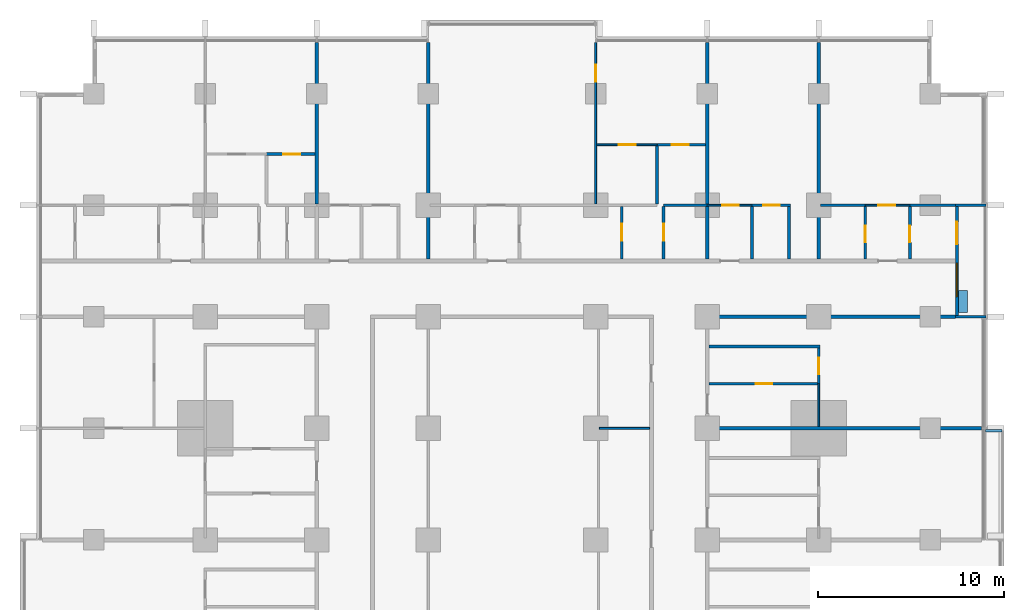
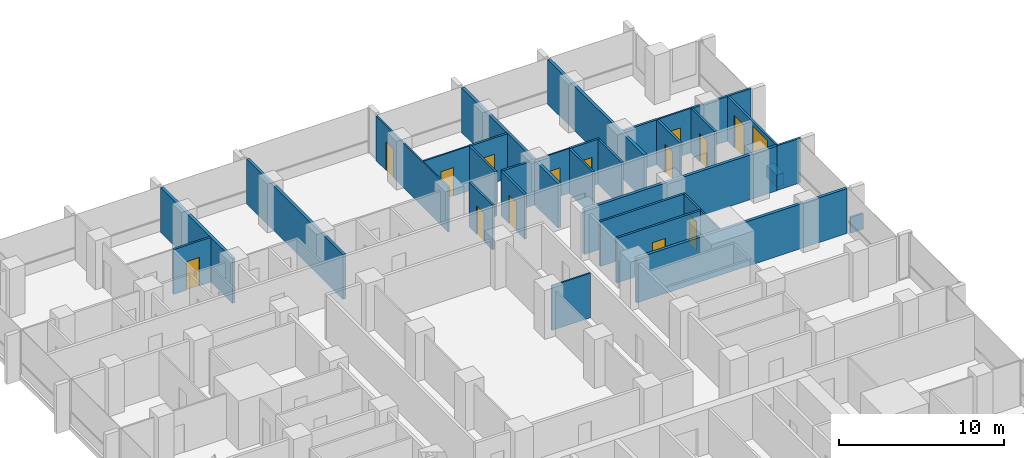
# One storey, part 12 of 18: 34 walls, 14 doors, 1 window, 15 openings.
"""IFC4 building model written with IfcOpenShell, lengths in metres."""

from ifc_helpers import new_model, si_unit, direction, frame, frame_2d, origin, place, context, subcontext, project, spatial, rectangle, extrude, material, layer, layer_set, type_object, element, fill, save


model = new_model("IFC4")

# Units and contexts
model_context = context("Model", 3, precision=1e-05, world=origin(), true_north=direction((0.0, 1.0)))
body_context = subcontext(model_context, "Body", "Model", "MODEL_VIEW")
ifc_project = project(units=[si_unit("LENGTHUNIT", "METRE"), si_unit("AREAUNIT", "SQUARE_METRE"), si_unit("VOLUMEUNIT", "CUBIC_METRE"), si_unit("PLANEANGLEUNIT", "RADIAN"), si_unit("MASSUNIT", "GRAM", prefix="KILO")], contexts=[model_context])

# Site, building, storey
site_placement = place(None, origin())
site = spatial("IfcSite", under=ifc_project, at=site_placement, CompositionType="ELEMENT")
building_placement = place(site_placement, origin())
building = spatial("IfcBuilding", under=site, at=building_placement, Name="Finial Court Residences", CompositionType="ELEMENT")
storey_placement = place(building_placement, frame((0.0, 0.0, 54.10009765625)))
storey = spatial("IfcBuildingStorey", under=building, at=storey_placement, Name="L12", CompositionType="ELEMENT", Elevation=54.10009765625)

# Walls
ifc_material_1 = material(Name="Gypsum board")
ifc_layer_1 = layer(ifc_material_1, 0.02490234375)
ifc_material_2 = material(Name="Acoustic mineral wool in double frame")
ifc_layer_2 = layer(ifc_material_2, 0.14990234375)
ifc_layer_3 = layer(ifc_material_1, 0.02490234375)
ifc_layer_set_1 = layer_set([ifc_layer_1, ifc_layer_2, ifc_layer_3], Name="Acoustic party wall 200, 1 hour")
wall_type_1 = type_object("IfcWallType", Name="Acoustic party wall 200, 1 hour", PredefinedType="PARTITIONING", material=ifc_layer_set_1)
wall_1_placement = place(storey_placement, frame((10.60009765625, 7.5, 0.0), z_axis=(0.0, 0.0, 1.0), x_axis=(1.0, 0.0, 0.0)))
element("IfcWall", 1, at=wall_1_placement, inside=storey, type_object=wall_type_1, Name="Partition L12-027", PredefinedType="PARTITIONING", context=body_context, shape_type="SweptSolid", body=[
    extrude(rectangle(XDim=14.64990234375, YDim=0.199951171875, at=frame_2d((7.324951171875, 0.0))), origin(), (0.0, 0.0, 1.0), 3.2998046875),
])
wall_2_placement = place(storey_placement, frame((-10.5, 19.574951171875, 0.0), z_axis=(0.0, 0.0, 1.0), x_axis=(0.0, 1.0, 0.0)))
element("IfcWall", 2, at=wall_2_placement, inside=storey, type_object=wall_type_1, Name="Partition L12-075", PredefinedType="PARTITIONING", context=body_context, shape_type="SweptSolid", body=[
    extrude(rectangle(XDim=8.675048828125, YDim=0.199951171875, at=frame_2d((4.33740234375, 0.0))), origin(), (0.0, 0.0, 1.0), 3.2998046875),
])
wall_3_placement = place(storey_placement, frame((-4.5, 16.60009765625, 0.0), z_axis=(0.0, 0.0, 1.0), x_axis=(0.0, 1.0, 0.0)))
element("IfcWall", 3, at=wall_3_placement, inside=storey, type_object=wall_type_1, Name="Partition L12-080", PredefinedType="PARTITIONING", context=body_context, shape_type="SweptSolid", body=[
    extrude(rectangle(XDim=11.64990234375, YDim=0.199951171875, at=frame_2d((5.824951171875, 0.0))), origin(), (0.0, 0.0, 1.0), 3.2998046875),
])
wall_4_placement = place(storey_placement, frame((10.5, 16.60009765625, 0.0), z_axis=(0.0, 0.0, 1.0), x_axis=(0.0, 1.0, 0.0)))
element("IfcWall", 4, at=wall_4_placement, inside=storey, type_object=wall_type_1, Name="Partition L12-090", PredefinedType="PARTITIONING", context=body_context, shape_type="SweptSolid", body=[
    extrude(rectangle(XDim=2.824951171875, YDim=0.199951171875, at=frame_2d((1.41259765625, 0.0))), origin(), (0.0, 0.0, 1.0), 3.2998046875),
])
wall_5_placement = place(storey_placement, frame((10.5, 19.574951171875, 0.0), z_axis=(0.0, 0.0, 1.0), x_axis=(0.0, 1.0, 0.0)))
element("IfcWall", 5, at=wall_5_placement, inside=storey, type_object=wall_type_1, Name="Partition L12-091", PredefinedType="PARTITIONING", context=body_context, shape_type="SweptSolid", body=[
    extrude(rectangle(XDim=8.675048828125, YDim=0.199951171875, at=frame_2d((4.33740234375, 0.0))), origin(), (0.0, 0.0, 1.0), 3.2998046875),
])
wall_6_placement = place(storey_placement, frame((16.5, 16.60009765625, 0.0), z_axis=(0.0, 0.0, 1.0), x_axis=(0.0, 1.0, 0.0)))
element("IfcWall", 6, at=wall_6_placement, inside=storey, type_object=wall_type_1, Name="Partition L12-099", PredefinedType="PARTITIONING", context=body_context, shape_type="SweptSolid", body=[
    extrude(rectangle(XDim=11.64990234375, YDim=0.199951171875, at=frame_2d((5.824951171875, 0.0))), origin(), (0.0, 0.0, 1.0), 3.2998046875),
])
ifc_layer_4 = layer(ifc_material_1, 0.02490234375)
ifc_layer_5 = layer(ifc_material_2, 0.14990234375)
ifc_layer_6 = layer(ifc_material_1, 0.02490234375)
ifc_layer_set_2 = layer_set([ifc_layer_4, ifc_layer_5, ifc_layer_6], Name="Corridor wall 200, 1 hour")
wall_type_2 = type_object("IfcWallType", Name="Corridor wall 200, 1 hour", PredefinedType="PARTITIONING", material=ifc_layer_set_2)
wall_7_placement = place(storey_placement, frame((10.39990234375, 13.5, 0.0), z_axis=(0.0, 0.0, 1.0), x_axis=(1.0, 0.0, 0.0)))
element("IfcWall", 7, at=wall_7_placement, inside=storey, type_object=wall_type_2, Name="Partition L12-033", PredefinedType="PARTITIONING", context=body_context, shape_type="SweptSolid", body=[
    extrude(rectangle(XDim=13.4501953125, YDim=0.199951171875, at=frame_2d((6.72509765625, 0.0))), origin(), (0.0, 0.0, 1.0), 3.2998046875),
])
ifc_layer_7 = layer(ifc_material_1, 0.012451171875)
ifc_material_3 = material(Name="Mineral wool in light-gauge frame")
ifc_layer_8 = layer(ifc_material_3, 0.074951171875)
ifc_layer_9 = layer(ifc_material_1, 0.012451171875)
ifc_layer_set_3 = layer_set([ifc_layer_7, ifc_layer_8, ifc_layer_9], Name="Gypsum board partition 100")
wall_type_3 = type_object("IfcWallType", Name="Gypsum board partition 100", PredefinedType="PARTITIONING", material=ifc_layer_set_3)
wall_8_placement = place(storey_placement, frame((4.699951171875, 7.5, 0.0), z_axis=(0.0, 0.0, 1.0), x_axis=(1.0, 0.0, 0.0)))
element("IfcWall", 8, at=wall_8_placement, inside=storey, type_object=wall_type_3, Name="Partition L12-026", PredefinedType="PARTITIONING", context=body_context, shape_type="SweptSolid", body=[
    extrude(rectangle(XDim=2.699951171875, YDim=0.10009765625, at=frame_2d((1.35009765625, 0.0))), origin(), (0.0, 0.0, 1.0), 3.2998046875),
])

# Wall, opening, door
wall_9_placement = place(storey_placement, frame((10.5, 19.5, 0.0), z_axis=(0.0, 0.0, 1.0), x_axis=(1.0, 0.0, 0.0)))
wall_9 = element("IfcWall", 9, at=wall_9_placement, inside=storey, type_object=wall_type_3, Name="Partition L12-039", PredefinedType="PARTITIONING", context=body_context, shape_type="SweptSolid", body=[
    extrude(rectangle(XDim=2.39990234375, YDim=0.10009765625, at=frame_2d((1.199951171875, 0.0))), origin(), (0.0, 0.0, 1.0), 3.2998046875),
])
opening_1_placement = place(wall_9_placement, frame((0.800048828125, 0.0, 0.0)))
opening_1 = element("IfcOpeningElement", 10, at=opening_1_placement, cuts=wall_9, Name="Opening L12-D023", PredefinedType="OPENING", context=body_context, shape_type="SweptSolid", body=[
    extrude(rectangle(XDim=0.89990234375, YDim=2.10009765625, at=frame_2d((0.449951171875, 1.050048828125))), frame((0.0, 0.06005859375, 0.0), z_axis=(0.0, -1.0, 0.0), x_axis=(1.0, 0.0, 0.0)), (0.0, 0.0, 1.0), 0.1201171875),
])
ifc_material_4 = material(Name="Timber door leaf in timber frame", Category="wood")
door_type_1 = type_object("IfcDoorType", Name="Door set 900 x 2100", OperationType="SINGLE_SWING_LEFT", PredefinedType="DOOR", material=ifc_material_4)
door_1_placement = place(opening_1_placement, origin())
door_1 = element("IfcDoor", 11, at=door_1_placement, inside=storey, type_object=door_type_1, Name="Door L12-D023", OperationType="SINGLE_SWING_RIGHT", OverallHeight=2.10009765625, OverallWidth=0.89990234375, PredefinedType="DOOR", context=body_context, shape_type="SweptSolid", body=[
    extrude(rectangle(XDim=0.89990234375, YDim=2.10009765625, at=frame_2d((0.449951171875, 1.050048828125))), frame((0.0, 0.02490234375, 0.0), z_axis=(0.0, -1.0, 0.0), x_axis=(1.0, 0.0, 0.0)), (0.0, 0.0, 1.0), 0.050048828125),
])
fill(opening_1, door_1)

wall_10_placement = place(storey_placement, frame((19.0, 19.5, 0.0), z_axis=(0.0, 0.0, 1.0), x_axis=(1.0, 0.0, 0.0)))
wall_10 = element("IfcWall", 12, at=wall_10_placement, inside=storey, type_object=wall_type_3, Name="Partition L12-040", PredefinedType="PARTITIONING", context=body_context, shape_type="SweptSolid", body=[
    extrude(rectangle(XDim=2.39990234375, YDim=0.10009765625, at=frame_2d((1.199951171875, 0.0))), origin(), (0.0, 0.0, 1.0), 3.2998046875),
])
opening_2_placement = place(wall_10_placement, frame((0.699951171875, 0.0, 0.0)))
opening_2 = element("IfcOpeningElement", 13, at=opening_2_placement, cuts=wall_10, Name="Opening L12-D024", PredefinedType="OPENING", context=body_context, shape_type="SweptSolid", body=[
    extrude(rectangle(XDim=0.89990234375, YDim=2.10009765625, at=frame_2d((0.449951171875, 1.050048828125))), frame((0.0, 0.06005859375, 0.0), z_axis=(0.0, -1.0, 0.0), x_axis=(1.0, 0.0, 0.0)), (0.0, 0.0, 1.0), 0.1201171875),
])
door_2_placement = place(opening_2_placement, origin())
door_2 = element("IfcDoor", 14, at=door_2_placement, inside=storey, type_object=door_type_1, Name="Door L12-D024", OperationType="SINGLE_SWING_RIGHT", OverallHeight=2.10009765625, OverallWidth=0.89990234375, PredefinedType="DOOR", context=body_context, shape_type="SweptSolid", body=[
    extrude(rectangle(XDim=0.89990234375, YDim=2.10009765625, at=frame_2d((0.449951171875, 1.050048828125))), frame((0.0, 0.02490234375, 0.0), z_axis=(0.0, -1.0, 0.0), x_axis=(1.0, 0.0, 0.0)), (0.0, 0.0, 1.0), 0.050048828125),
])
fill(opening_2, door_2)

wall_11_placement = place(storey_placement, frame((4.550048828125, 22.75, 0.0), z_axis=(0.0, 0.0, 1.0), x_axis=(1.0, 0.0, 0.0)))
wall_11 = element("IfcWall", 15, at=wall_11_placement, inside=storey, type_object=wall_type_3, Name="Partition L12-053", PredefinedType="PARTITIONING", context=body_context, shape_type="SweptSolid", body=[
    extrude(rectangle(XDim=3.25, YDim=0.10009765625, at=frame_2d((1.625, 0.0))), origin(), (0.0, 0.0, 1.0), 3.2998046875),
])
opening_3_placement = place(wall_11_placement, frame((1.199951171875, 0.0, 0.0)))
opening_3 = element("IfcOpeningElement", 16, at=opening_3_placement, cuts=wall_11, Name="Opening L12-D029", PredefinedType="OPENING", context=body_context, shape_type="SweptSolid", body=[
    extrude(rectangle(XDim=0.89990234375, YDim=2.10009765625, at=frame_2d((0.449951171875, 1.050048828125))), frame((0.0, 0.06005859375, 0.0), z_axis=(0.0, -1.0, 0.0), x_axis=(1.0, 0.0, 0.0)), (0.0, 0.0, 1.0), 0.1201171875),
])
door_3_placement = place(opening_3_placement, origin())
door_3 = element("IfcDoor", 17, at=door_3_placement, inside=storey, type_object=door_type_1, Name="Door L12-D029", OperationType="SINGLE_SWING_LEFT", OverallHeight=2.10009765625, OverallWidth=0.89990234375, PredefinedType="DOOR", context=body_context, shape_type="SweptSolid", body=[
    extrude(rectangle(XDim=0.89990234375, YDim=2.10009765625, at=frame_2d((0.449951171875, 1.050048828125))), frame((0.0, 0.02490234375, 0.0), z_axis=(0.0, -1.0, 0.0), x_axis=(1.0, 0.0, 0.0)), (0.0, 0.0, 1.0), 0.050048828125),
])
fill(opening_3, door_3)

wall_12_placement = place(storey_placement, frame((4.5, 19.574951171875, 0.0), z_axis=(0.0, 0.0, 1.0), x_axis=(0.0, 1.0, 0.0)))
wall_12 = element("IfcWall", 18, at=wall_12_placement, inside=storey, type_object=wall_type_3, Name="Partition L12-083", PredefinedType="PARTITIONING", context=body_context, shape_type="SweptSolid", body=[
    extrude(rectangle(XDim=8.675048828125, YDim=0.10009765625, at=frame_2d((4.33740234375, 0.0))), origin(), (0.0, 0.0, 1.0), 3.2998046875),
])
opening_4_placement = place(wall_12_placement, frame((6.574951171875, 0.0, 0.0)))
opening_4 = element("IfcOpeningElement", 19, at=opening_4_placement, cuts=wall_12, Name="Opening L12-D047", PredefinedType="OPENING", context=body_context, shape_type="SweptSolid", body=[
    extrude(rectangle(XDim=0.89990234375, YDim=2.10009765625, at=frame_2d((0.449951171875, 1.050048828125))), frame((0.0, 0.06005859375, 0.0), z_axis=(0.0, -1.0, 0.0), x_axis=(1.0, 0.0, 0.0)), (0.0, 0.0, 1.0), 0.1201171875),
])
door_4_placement = place(opening_4_placement, origin())
door_4 = element("IfcDoor", 20, at=door_4_placement, inside=storey, type_object=door_type_1, Name="Door L12-D047", OperationType="SINGLE_SWING_RIGHT", OverallHeight=2.10009765625, OverallWidth=0.89990234375, PredefinedType="DOOR", context=body_context, shape_type="SweptSolid", body=[
    extrude(rectangle(XDim=0.89990234375, YDim=2.10009765625, at=frame_2d((0.449951171875, 1.050048828125))), frame((0.0, 0.02490234375, 0.0), z_axis=(0.0, -1.0, 0.0), x_axis=(1.0, 0.0, 0.0)), (0.0, 0.0, 1.0), 0.050048828125),
])
fill(opening_4, door_4)

# Wall
wall_13_placement = place(storey_placement, frame((16.5, 7.60009765625, 0.0), z_axis=(0.0, 0.0, 1.0), x_axis=(0.0, 1.0, 0.0)))
element("IfcWall", 21, at=wall_13_placement, inside=storey, type_object=wall_type_3, Name="Partition L12-098", PredefinedType="PARTITIONING", context=body_context, shape_type="SweptSolid", body=[
    extrude(rectangle(XDim=2.2998046875, YDim=0.10009765625, at=frame_2d((1.14990234375, 0.0))), origin(), (0.0, 0.0, 1.0), 3.2998046875),
])

# Wall, opening, door
ifc_material_5 = material(Name="Moisture-resistant gypsum board")
ifc_layer_10 = layer(ifc_material_5, 0.012451171875)
ifc_layer_11 = layer(ifc_material_3, 0.125)
ifc_layer_12 = layer(ifc_material_5, 0.012451171875)
ifc_layer_set_4 = layer_set([ifc_layer_10, ifc_layer_11, ifc_layer_12], Name="Gypsum board wet-area partition 150")
wall_type_4 = type_object("IfcWallType", Name="Gypsum board wet-area partition 150", PredefinedType="PARTITIONING", material=ifc_layer_set_4)
wall_14_placement = place(storey_placement, frame((10.60009765625, 9.89990234375, 0.0), z_axis=(0.0, 0.0, 1.0), x_axis=(1.0, 0.0, 0.0)))
wall_14 = element("IfcWall", 22, at=wall_14_placement, inside=storey, type_object=wall_type_4, Name="Partition L12-028", PredefinedType="PARTITIONING", context=body_context, shape_type="SweptSolid", body=[
    extrude(rectangle(XDim=5.824951171875, YDim=0.14990234375, at=frame_2d((2.91259765625, 0.0))), origin(), (0.0, 0.0, 1.0), 3.2998046875),
])
opening_5_placement = place(wall_14_placement, frame((2.5, 0.0, 0.0)))
opening_5 = element("IfcOpeningElement", 23, at=opening_5_placement, cuts=wall_14, Name="Opening L12-D014", PredefinedType="OPENING", context=body_context, shape_type="SweptSolid", body=[
    extrude(rectangle(XDim=0.89990234375, YDim=2.10009765625, at=frame_2d((0.449951171875, 1.050048828125))), frame((0.0, 0.0849609375, 0.0), z_axis=(0.0, -1.0, 0.0), x_axis=(1.0, 0.0, 0.0)), (0.0, 0.0, 1.0), 0.169921875),
])
door_5_placement = place(opening_5_placement, origin())
door_5 = element("IfcDoor", 24, at=door_5_placement, inside=storey, type_object=door_type_1, Name="Door L12-D014", OperationType="SINGLE_SWING_LEFT", OverallHeight=2.10009765625, OverallWidth=0.89990234375, PredefinedType="DOOR", context=body_context, shape_type="SweptSolid", body=[
    extrude(rectangle(XDim=0.89990234375, YDim=2.10009765625, at=frame_2d((0.449951171875, 1.050048828125))), frame((0.0, 0.02490234375, 0.0), z_axis=(0.0, -1.0, 0.0), x_axis=(1.0, 0.0, 0.0)), (0.0, 0.0, 1.0), 0.050048828125),
])
fill(opening_5, door_5)

# Walls
wall_15_placement = place(storey_placement, frame((10.60009765625, 11.89990234375, 0.0), z_axis=(0.0, 0.0, 1.0), x_axis=(1.0, 0.0, 0.0)))
element("IfcWall", 25, at=wall_15_placement, inside=storey, type_object=wall_type_4, Name="Partition L12-029", PredefinedType="PARTITIONING", context=body_context, shape_type="SweptSolid", body=[
    extrude(rectangle(XDim=5.974853515625, YDim=0.14990234375, at=frame_2d((2.9873046875, 0.0))), origin(), (0.0, 0.0, 1.0), 3.2998046875),
])
wall_16_placement = place(storey_placement, frame((8.14990234375, 19.5, 0.0), z_axis=(0.0, 0.0, 1.0), x_axis=(1.0, 0.0, 0.0)))
element("IfcWall", 26, at=wall_16_placement, inside=storey, type_object=wall_type_4, Name="Partition L12-047", PredefinedType="PARTITIONING", context=body_context, shape_type="SweptSolid", body=[
    extrude(rectangle(XDim=2.35009765625, YDim=0.14990234375, at=frame_2d((1.175048828125, 0.0))), origin(), (0.0, 0.0, 1.0), 3.2998046875),
])

# Wall, opening, door
wall_17_placement = place(storey_placement, frame((12.89990234375, 19.5, 0.0), z_axis=(0.0, 0.0, 1.0), x_axis=(1.0, 0.0, 0.0)))
wall_17 = element("IfcWall", 27, at=wall_17_placement, inside=storey, type_object=wall_type_4, Name="Partition L12-048", PredefinedType="PARTITIONING", context=body_context, shape_type="SweptSolid", body=[
    extrude(rectangle(XDim=2.0751953125, YDim=0.14990234375, at=frame_2d((1.03759765625, 0.0))), origin(), (0.0, 0.0, 1.0), 3.2998046875),
])
opening_6_placement = place(wall_17_placement, frame((0.60009765625, 0.0, 0.0)))
opening_6 = element("IfcOpeningElement", 28, at=opening_6_placement, cuts=wall_17, Name="Opening L12-D026", PredefinedType="OPENING", context=body_context, shape_type="SweptSolid", body=[
    extrude(rectangle(XDim=0.89990234375, YDim=2.10009765625, at=frame_2d((0.449951171875, 1.050048828125))), frame((0.0, 0.0849609375, 0.0), z_axis=(0.0, -1.0, 0.0), x_axis=(1.0, 0.0, 0.0)), (0.0, 0.0, 1.0), 0.169921875),
])
door_6_placement = place(opening_6_placement, origin())
door_6 = element("IfcDoor", 29, at=door_6_placement, inside=storey, type_object=door_type_1, Name="Door L12-D026", OperationType="SINGLE_SWING_RIGHT", OverallHeight=2.10009765625, OverallWidth=0.89990234375, PredefinedType="DOOR", context=body_context, shape_type="SweptSolid", body=[
    extrude(rectangle(XDim=0.89990234375, YDim=2.10009765625, at=frame_2d((0.449951171875, 1.050048828125))), frame((0.0, 0.02490234375, 0.0), z_axis=(0.0, -1.0, 0.0), x_axis=(1.0, 0.0, 0.0)), (0.0, 0.0, 1.0), 0.050048828125),
])
fill(opening_6, door_6)

# Walls
wall_18_placement = place(storey_placement, frame((16.60009765625, 19.5, 0.0), z_axis=(0.0, 0.0, 1.0), x_axis=(1.0, 0.0, 0.0)))
element("IfcWall", 30, at=wall_18_placement, inside=storey, type_object=wall_type_4, Name="Partition L12-049", PredefinedType="PARTITIONING", context=body_context, shape_type="SweptSolid", body=[
    extrude(rectangle(XDim=2.39990234375, YDim=0.14990234375, at=frame_2d((1.199951171875, 0.0))), origin(), (0.0, 0.0, 1.0), 3.2998046875),
])
wall_19_placement = place(storey_placement, frame((21.39990234375, 19.5, 0.0), z_axis=(0.0, 0.0, 1.0), x_axis=(1.0, 0.0, 0.0)))
element("IfcWall", 31, at=wall_19_placement, inside=storey, type_object=wall_type_4, Name="Partition L12-050", PredefinedType="PARTITIONING", context=body_context, shape_type="SweptSolid", body=[
    extrude(rectangle(XDim=2.4501953125, YDim=0.14990234375, at=frame_2d((1.22509765625, 0.0))), origin(), (0.0, 0.0, 1.0), 3.2998046875),
])

# Wall, opening, door
wall_20_placement = place(storey_placement, frame((-13.199951171875, 22.25, 0.0), z_axis=(0.0, 0.0, 1.0), x_axis=(1.0, 0.0, 0.0)))
wall_20 = element("IfcWall", 32, at=wall_20_placement, inside=storey, type_object=wall_type_4, Name="Partition L12-052", PredefinedType="PARTITIONING", context=body_context, shape_type="SweptSolid", body=[
    extrude(rectangle(XDim=2.599853515625, YDim=0.14990234375, at=frame_2d((1.2998046875, 0.0))), origin(), (0.0, 0.0, 1.0), 3.2998046875),
])
opening_7_placement = place(wall_20_placement, frame((0.89990234375, 0.0, 0.0)))
opening_7 = element("IfcOpeningElement", 33, at=opening_7_placement, cuts=wall_20, Name="Opening L12-D028", PredefinedType="OPENING", context=body_context, shape_type="SweptSolid", body=[
    extrude(rectangle(XDim=0.89990234375, YDim=2.10009765625, at=frame_2d((0.449951171875, 1.050048828125))), frame((0.0, 0.0849609375, 0.0), z_axis=(0.0, -1.0, 0.0), x_axis=(1.0, 0.0, 0.0)), (0.0, 0.0, 1.0), 0.169921875),
])
door_7_placement = place(opening_7_placement, origin())
door_7 = element("IfcDoor", 34, at=door_7_placement, inside=storey, type_object=door_type_1, Name="Door L12-D028", OperationType="SINGLE_SWING_RIGHT", OverallHeight=2.10009765625, OverallWidth=0.89990234375, PredefinedType="DOOR", context=body_context, shape_type="SweptSolid", body=[
    extrude(rectangle(XDim=0.89990234375, YDim=2.10009765625, at=frame_2d((0.449951171875, 1.050048828125))), frame((0.0, 0.02490234375, 0.0), z_axis=(0.0, -1.0, 0.0), x_axis=(1.0, 0.0, 0.0)), (0.0, 0.0, 1.0), 0.050048828125),
])
fill(opening_7, door_7)

wall_21_placement = place(storey_placement, frame((7.800048828125, 22.75, 0.0), z_axis=(0.0, 0.0, 1.0), x_axis=(1.0, 0.0, 0.0)))
wall_21 = element("IfcWall", 35, at=wall_21_placement, inside=storey, type_object=wall_type_4, Name="Partition L12-054", PredefinedType="PARTITIONING", context=body_context, shape_type="SweptSolid", body=[
    extrude(rectangle(XDim=2.599853515625, YDim=0.14990234375, at=frame_2d((1.2998046875, 0.0))), origin(), (0.0, 0.0, 1.0), 3.2998046875),
])
opening_8_placement = place(wall_21_placement, frame((0.800048828125, 0.0, 0.0)))
opening_8 = element("IfcOpeningElement", 36, at=opening_8_placement, cuts=wall_21, Name="Opening L12-D030", PredefinedType="OPENING", context=body_context, shape_type="SweptSolid", body=[
    extrude(rectangle(XDim=0.89990234375, YDim=2.10009765625, at=frame_2d((0.449951171875, 1.050048828125))), frame((0.0, 0.0849609375, 0.0), z_axis=(0.0, -1.0, 0.0), x_axis=(1.0, 0.0, 0.0)), (0.0, 0.0, 1.0), 0.169921875),
])
door_8_placement = place(opening_8_placement, origin())
door_8 = element("IfcDoor", 37, at=door_8_placement, inside=storey, type_object=door_type_1, Name="Door L12-D030", OperationType="SINGLE_SWING_RIGHT", OverallHeight=2.10009765625, OverallWidth=0.89990234375, PredefinedType="DOOR", context=body_context, shape_type="SweptSolid", body=[
    extrude(rectangle(XDim=0.89990234375, YDim=2.10009765625, at=frame_2d((0.449951171875, 1.050048828125))), frame((0.0, 0.02490234375, 0.0), z_axis=(0.0, -1.0, 0.0), x_axis=(1.0, 0.0, 0.0)), (0.0, 0.0, 1.0), 0.050048828125),
])
fill(opening_8, door_8)

wall_22_placement = place(storey_placement, frame((5.89990234375, 16.60009765625, 0.0), z_axis=(0.0, 0.0, 1.0), x_axis=(0.0, 1.0, 0.0)))
wall_22 = element("IfcWall", 38, at=wall_22_placement, inside=storey, type_object=wall_type_4, Name="Partition L12-085", PredefinedType="PARTITIONING", context=body_context, shape_type="SweptSolid", body=[
    extrude(rectangle(XDim=2.824951171875, YDim=0.14990234375, at=frame_2d((1.41259765625, 0.0))), origin(), (0.0, 0.0, 1.0), 3.2998046875),
])
opening_9_placement = place(wall_22_placement, frame((1.0, 0.0, 0.0)))
opening_9 = element("IfcOpeningElement", 39, at=opening_9_placement, cuts=wall_22, Name="Opening L12-D048", PredefinedType="OPENING", context=body_context, shape_type="SweptSolid", body=[
    extrude(rectangle(XDim=0.89990234375, YDim=2.10009765625, at=frame_2d((0.449951171875, 1.050048828125))), frame((0.0, 0.0849609375, 0.0), z_axis=(0.0, -1.0, 0.0), x_axis=(1.0, 0.0, 0.0)), (0.0, 0.0, 1.0), 0.169921875),
])
door_9_placement = place(opening_9_placement, origin())
door_9 = element("IfcDoor", 40, at=door_9_placement, inside=storey, type_object=door_type_1, Name="Door L12-D048", OperationType="SINGLE_SWING_RIGHT", OverallHeight=2.10009765625, OverallWidth=0.89990234375, PredefinedType="DOOR", context=body_context, shape_type="SweptSolid", body=[
    extrude(rectangle(XDim=0.89990234375, YDim=2.10009765625, at=frame_2d((0.449951171875, 1.050048828125))), frame((0.0, 0.02490234375, 0.0), z_axis=(0.0, -1.0, 0.0), x_axis=(1.0, 0.0, 0.0)), (0.0, 0.0, 1.0), 0.050048828125),
])
fill(opening_9, door_9)

# Wall
wall_23_placement = place(storey_placement, frame((7.800048828125, 19.574951171875, 0.0), z_axis=(0.0, 0.0, 1.0), x_axis=(0.0, 1.0, 0.0)))
element("IfcWall", 41, at=wall_23_placement, inside=storey, type_object=wall_type_4, Name="Partition L12-087", PredefinedType="PARTITIONING", context=body_context, shape_type="SweptSolid", body=[
    extrude(rectangle(XDim=3.10009765625, YDim=0.14990234375, at=frame_2d((1.550048828125, 0.0))), origin(), (0.0, 0.0, 1.0), 3.2998046875),
])

# Wall, opening, door
wall_24_placement = place(storey_placement, frame((8.14990234375, 16.60009765625, 0.0), z_axis=(0.0, 0.0, 1.0), x_axis=(0.0, 1.0, 0.0)))
wall_24 = element("IfcWall", 42, at=wall_24_placement, inside=storey, type_object=wall_type_4, Name="Partition L12-088", PredefinedType="PARTITIONING", context=body_context, shape_type="SweptSolid", body=[
    extrude(rectangle(XDim=2.824951171875, YDim=0.14990234375, at=frame_2d((1.41259765625, 0.0))), origin(), (0.0, 0.0, 1.0), 3.2998046875),
])
opening_10_placement = place(wall_24_placement, frame((1.0, 0.0, 0.0)))
opening_10 = element("IfcOpeningElement", 43, at=opening_10_placement, cuts=wall_24, Name="Opening L12-D051", PredefinedType="OPENING", context=body_context, shape_type="SweptSolid", body=[
    extrude(rectangle(XDim=0.89990234375, YDim=2.10009765625, at=frame_2d((0.449951171875, 1.050048828125))), frame((0.0, 0.0849609375, 0.0), z_axis=(0.0, -1.0, 0.0), x_axis=(1.0, 0.0, 0.0)), (0.0, 0.0, 1.0), 0.169921875),
])
door_10_placement = place(opening_10_placement, origin())
door_10 = element("IfcDoor", 44, at=door_10_placement, inside=storey, type_object=door_type_1, Name="Door L12-D051", OperationType="SINGLE_SWING_RIGHT", OverallHeight=2.10009765625, OverallWidth=0.89990234375, PredefinedType="DOOR", context=body_context, shape_type="SweptSolid", body=[
    extrude(rectangle(XDim=0.89990234375, YDim=2.10009765625, at=frame_2d((0.449951171875, 1.050048828125))), frame((0.0, 0.02490234375, 0.0), z_axis=(0.0, -1.0, 0.0), x_axis=(1.0, 0.0, 0.0)), (0.0, 0.0, 1.0), 0.050048828125),
])
fill(opening_10, door_10)

# Walls
for number, where, z_axis, x_axis, name in (
    (45, (12.89990234375, 16.60009765625, 0.0), (0.0, 0.0, 1.0), (0.0, 1.0, 0.0), "Partition L12-092"),
    (46, (14.89990234375, 16.60009765625, 0.0), (0.0, 0.0, 1.0), (0.0, 1.0, 0.0), "Partition L12-093"),
):
    element("IfcWall", number, at=place(storey_placement, frame(where, z_axis=z_axis, x_axis=x_axis)), inside=storey, type_object=wall_type_4, Name=name, PredefinedType="PARTITIONING", context=body_context, shape_type="SweptSolid", body=[
        extrude(rectangle(XDim=2.824951171875, YDim=0.14990234375, at=frame_2d((1.41259765625, 0.0))), origin(), (0.0, 0.0, 1.0), 3.2998046875),
    ])

# Wall, opening, door
wall_25_placement = place(storey_placement, frame((16.5, 9.89990234375, 0.0), z_axis=(0.0, 0.0, 1.0), x_axis=(0.0, 1.0, 0.0)))
wall_25 = element("IfcWall", 47, at=wall_25_placement, inside=storey, type_object=wall_type_4, Name="Partition L12-104", PredefinedType="PARTITIONING", context=body_context, shape_type="SweptSolid", body=[
    extrude(rectangle(XDim=1.925048828125, YDim=0.14990234375, at=frame_2d((0.96240234375, 0.0))), origin(), (0.0, 0.0, 1.0), 3.2998046875),
])
opening_11_placement = place(wall_25_placement, frame((0.5, 0.0, 0.0)))
opening_11 = element("IfcOpeningElement", 48, at=opening_11_placement, cuts=wall_25, Name="Opening L12-D061", PredefinedType="OPENING", context=body_context, shape_type="SweptSolid", body=[
    extrude(rectangle(XDim=0.89990234375, YDim=2.10009765625, at=frame_2d((0.449951171875, 1.050048828125))), frame((0.0, 0.0849609375, 0.0), z_axis=(0.0, -1.0, 0.0), x_axis=(1.0, 0.0, 0.0)), (0.0, 0.0, 1.0), 0.169921875),
])
door_11_placement = place(opening_11_placement, origin())
door_11 = element("IfcDoor", 49, at=door_11_placement, inside=storey, type_object=door_type_1, Name="Door L12-D061", OperationType="SINGLE_SWING_RIGHT", OverallHeight=2.10009765625, OverallWidth=0.89990234375, PredefinedType="DOOR", context=body_context, shape_type="SweptSolid", body=[
    extrude(rectangle(XDim=0.89990234375, YDim=2.10009765625, at=frame_2d((0.449951171875, 1.050048828125))), frame((0.0, 0.02490234375, 0.0), z_axis=(0.0, -1.0, 0.0), x_axis=(1.0, 0.0, 0.0)), (0.0, 0.0, 1.0), 0.050048828125),
])
fill(opening_11, door_11)

wall_26_placement = place(storey_placement, frame((19.0, 16.60009765625, 0.0), z_axis=(0.0, 0.0, 1.0), x_axis=(0.0, 1.0, 0.0)))
wall_26 = element("IfcWall", 50, at=wall_26_placement, inside=storey, type_object=wall_type_4, Name="Partition L12-106", PredefinedType="PARTITIONING", context=body_context, shape_type="SweptSolid", body=[
    extrude(rectangle(XDim=2.824951171875, YDim=0.14990234375, at=frame_2d((1.41259765625, 0.0))), origin(), (0.0, 0.0, 1.0), 3.2998046875),
])
opening_12_placement = place(wall_26_placement, frame((0.89990234375, 0.0, 0.0)))
opening_12 = element("IfcOpeningElement", 51, at=opening_12_placement, cuts=wall_26, Name="Opening L12-D062", PredefinedType="OPENING", context=body_context, shape_type="SweptSolid", body=[
    extrude(rectangle(XDim=0.89990234375, YDim=2.10009765625, at=frame_2d((0.449951171875, 1.050048828125))), frame((0.0, 0.0849609375, 0.0), z_axis=(0.0, -1.0, 0.0), x_axis=(1.0, 0.0, 0.0)), (0.0, 0.0, 1.0), 0.169921875),
])
door_12_placement = place(opening_12_placement, origin())
door_12 = element("IfcDoor", 52, at=door_12_placement, inside=storey, type_object=door_type_1, Name="Door L12-D062", OperationType="SINGLE_SWING_RIGHT", OverallHeight=2.10009765625, OverallWidth=0.89990234375, PredefinedType="DOOR", context=body_context, shape_type="SweptSolid", body=[
    extrude(rectangle(XDim=0.89990234375, YDim=2.10009765625, at=frame_2d((0.449951171875, 1.050048828125))), frame((0.0, 0.02490234375, 0.0), z_axis=(0.0, -1.0, 0.0), x_axis=(1.0, 0.0, 0.0)), (0.0, 0.0, 1.0), 0.050048828125),
])
fill(opening_12, door_12)

wall_27_placement = place(storey_placement, frame((21.39990234375, 16.60009765625, 0.0), z_axis=(0.0, 0.0, 1.0), x_axis=(0.0, 1.0, 0.0)))
wall_27 = element("IfcWall", 53, at=wall_27_placement, inside=storey, type_object=wall_type_4, Name="Partition L12-107", PredefinedType="PARTITIONING", context=body_context, shape_type="SweptSolid", body=[
    extrude(rectangle(XDim=2.824951171875, YDim=0.14990234375, at=frame_2d((1.41259765625, 0.0))), origin(), (0.0, 0.0, 1.0), 3.2998046875),
])
opening_13_placement = place(wall_27_placement, frame((0.89990234375, 0.0, 0.0)))
opening_13 = element("IfcOpeningElement", 54, at=opening_13_placement, cuts=wall_27, Name="Opening L12-D063", PredefinedType="OPENING", context=body_context, shape_type="SweptSolid", body=[
    extrude(rectangle(XDim=0.89990234375, YDim=2.10009765625, at=frame_2d((0.449951171875, 1.050048828125))), frame((0.0, 0.0849609375, 0.0), z_axis=(0.0, -1.0, 0.0), x_axis=(1.0, 0.0, 0.0)), (0.0, 0.0, 1.0), 0.169921875),
])
door_13_placement = place(opening_13_placement, origin())
door_13 = element("IfcDoor", 55, at=door_13_placement, inside=storey, type_object=door_type_1, Name="Door L12-D063", OperationType="SINGLE_SWING_RIGHT", OverallHeight=2.10009765625, OverallWidth=0.89990234375, PredefinedType="DOOR", context=body_context, shape_type="SweptSolid", body=[
    extrude(rectangle(XDim=0.89990234375, YDim=2.10009765625, at=frame_2d((0.449951171875, 1.050048828125))), frame((0.0, 0.02490234375, 0.0), z_axis=(0.0, -1.0, 0.0), x_axis=(1.0, 0.0, 0.0)), (0.0, 0.0, 1.0), 0.050048828125),
])
fill(opening_13, door_13)

# Walls
ifc_material_6 = material(Name="Concrete C35/45", Category="concrete")
ifc_layer_13 = layer(ifc_material_6, 0.14990234375)
ifc_layer_set_5 = layer_set([ifc_layer_13], Name="Ledge parapet, Concrete C35/45 150")
wall_type_5 = type_object("IfcWallType", Name="Ledge parapet, Concrete C35/45 150", PredefinedType="PARAPET", material=ifc_layer_set_5)
wall_28_placement = place(storey_placement, frame((25.4599609375, 7.375, 0.0), z_axis=(0.0, 0.0, 1.0), x_axis=(1.0, 0.0, 0.0)))
element("IfcWall", 56, at=wall_28_placement, inside=storey, type_object=wall_type_5, Name="E-L12-LED1-P1", PredefinedType="PARAPET", context=body_context, shape_type="SweptSolid", body=[
    extrude(rectangle(XDim=0.89013671875, YDim=0.14990234375, at=frame_2d((0.445068359375, 0.0))), origin(), (0.0, 0.0, 1.0), 1.14990234375),
])
ifc_material_7 = material(Name="Natural limestone", Category="masonry")
ifc_layer_14 = layer(ifc_material_7, 0.14990234375)
ifc_layer_set_6 = layer_set([ifc_layer_14], Name="Limestone clad wall 150")
wall_type_6 = type_object("IfcWallType", Name="Limestone clad wall 150", PredefinedType="SOLIDWALL", material=ifc_layer_set_6)
for number, where, z_axis, x_axis, name in (
    (57, (23.85009765625, 13.5, 0.0), (0.0, 0.0, 1.0), (1.0, 0.0, 0.0), "E-L12-BALE6-P1"),
    (58, (23.85009765625, 19.5, 0.0), (0.0, 0.0, 1.0), (1.0, 0.0, 0.0), "E-L12-BALE6-P2"),
):
    element("IfcWall", number, at=place(storey_placement, frame(where, z_axis=z_axis, x_axis=x_axis)), inside=storey, type_object=wall_type_6, Name=name, PredefinedType="SOLIDWALL", context=body_context, shape_type="SweptSolid", body=[
        extrude(rectangle(XDim=1.64990234375, YDim=0.14990234375, at=frame_2d((0.824951171875, 0.0))), origin(), (0.0, 0.0, 1.0), 3.2998046875),
    ])

# Wall, openings, door, window
wall_29_placement = place(storey_placement, frame((23.925048828125, 19.425048828125, 0.0), z_axis=(0.0, 0.0, 1.0), x_axis=(0.0, -1.0, 0.0)))
wall_29 = element("IfcWall", 59, at=wall_29_placement, inside=storey, type_object=wall_type_6, Name="E-L12-L12-BALE6-W", PredefinedType="SOLIDWALL", context=body_context, shape_type="SweptSolid", body=[
    extrude(rectangle(XDim=5.85009765625, YDim=0.14990234375, at=frame_2d((2.925048828125, 0.0))), origin(), (0.0, 0.0, 1.0), 3.2998046875),
])
opening_14_placement = place(wall_29_placement, frame((0.824951171875, 0.0, 0.0)))
opening_14 = element("IfcOpeningElement", 60, at=opening_14_placement, cuts=wall_29, Name="Opening DE12-01", PredefinedType="OPENING", context=body_context, shape_type="SweptSolid", body=[
    extrude(rectangle(XDim=1.199951171875, YDim=2.39990234375, at=frame_2d((0.60009765625, 1.199951171875))), frame((0.0, 0.0849609375, 0.0), z_axis=(0.0, -1.0, 0.0), x_axis=(1.0, 0.0, 0.0)), (0.0, 0.0, 1.0), 0.169921875),
])
opening_15_placement = place(wall_29_placement, frame((3.03759765625, 0.0, 0.89990234375)))
opening_15 = element("IfcOpeningElement", 61, at=opening_15_placement, cuts=wall_29, Name="Opening WE12-09", PredefinedType="OPENING", context=body_context, shape_type="SweptSolid", body=[
    extrude(rectangle(XDim=1.800048828125, YDim=2.10009765625, at=frame_2d((0.89990234375, 1.050048828125))), frame((0.0, 0.0849609375, 0.0), z_axis=(0.0, -1.0, 0.0), x_axis=(1.0, 0.0, 0.0)), (0.0, 0.0, 1.0), 0.169921875),
])
ifc_material_8 = material(Name="Bronze anodised aluminium", Category="aluminium")
door_type_2 = type_object("IfcDoorType", Name="Balcony door 1200 x 2400", OperationType="SINGLE_SWING_LEFT", PredefinedType="DOOR", material=ifc_material_8)
door_14_placement = place(opening_14_placement, origin())
door_14 = element("IfcDoor", 62, at=door_14_placement, inside=storey, type_object=door_type_2, Name="E-L12-L12-BALE6-W-D", OperationType="SINGLE_SWING_LEFT", OverallHeight=2.39990234375, OverallWidth=1.199951171875, PredefinedType="DOOR", context=body_context, shape_type="SweptSolid", body=[
    extrude(rectangle(XDim=1.199951171875, YDim=2.39990234375, at=frame_2d((0.60009765625, 1.199951171875))), frame((0.0, 0.02490234375, 0.0), z_axis=(0.0, -1.0, 0.0), x_axis=(1.0, 0.0, 0.0)), (0.0, 0.0, 1.0), 0.050048828125),
])
fill(opening_14, door_14)
ifc_material_9 = material(Name="Clear low-e glass", Category="glass")
window_type = type_object("IfcWindowType", Name="Balcony window 1800 x 2100", PartitioningType="SINGLE_PANEL", PredefinedType="WINDOW", material=ifc_material_9)
window_placement = place(opening_15_placement, origin())
window = element("IfcWindow", 63, at=window_placement, inside=storey, type_object=window_type, Name="E-L12-L12-BALE6-W-W1", OverallHeight=2.10009765625, OverallWidth=1.800048828125, PartitioningType="SINGLE_PANEL", PredefinedType="WINDOW", context=body_context, shape_type="SweptSolid", body=[
    extrude(rectangle(XDim=1.800048828125, YDim=2.10009765625, at=frame_2d((0.89990234375, 1.050048828125))), frame((0.0, 0.030029296875, 0.0), z_axis=(0.0, -1.0, 0.0), x_axis=(1.0, 0.0, 0.0)), (0.0, 0.0, 1.0), 0.06005859375),
])
fill(opening_15, window)

# Wall
ifc_material_10 = material(Name="Concrete C40/50", Category="concrete")
ifc_layer_15 = layer(ifc_material_10, 0.10009765625)
ifc_material_11 = material(Name="Planting soil", Category="soil")
ifc_layer_16 = layer(ifc_material_11, 0.300048828125)
ifc_layer_17 = layer(ifc_material_10, 0.10009765625)
ifc_layer_set_7 = layer_set([ifc_layer_15, ifc_layer_16, ifc_layer_17], Name="Planter wall, balcony")
wall_type_7 = type_object("IfcWallType", Name="Planter wall, balcony", PredefinedType="USERDEFINED", material=ifc_layer_set_7)
wall_30_placement = place(storey_placement, frame((24.25, 13.72509765625, 0.0), z_axis=(0.0, 0.0, 1.0), x_axis=(0.0, 1.0, 0.0)))
element("IfcWall", 64, at=wall_30_placement, inside=storey, type_object=wall_type_7, Name="E-L12-BALE6-PL", ObjectType="PLANTER", PredefinedType="USERDEFINED", context=body_context, shape_type="SweptSolid", body=[
    extrude(rectangle(XDim=1.199951171875, YDim=0.5, at=frame_2d((0.60009765625, 0.0))), origin(), (0.0, 0.0, 1.0), 0.89990234375),
])

save(model, "model.ifc")
